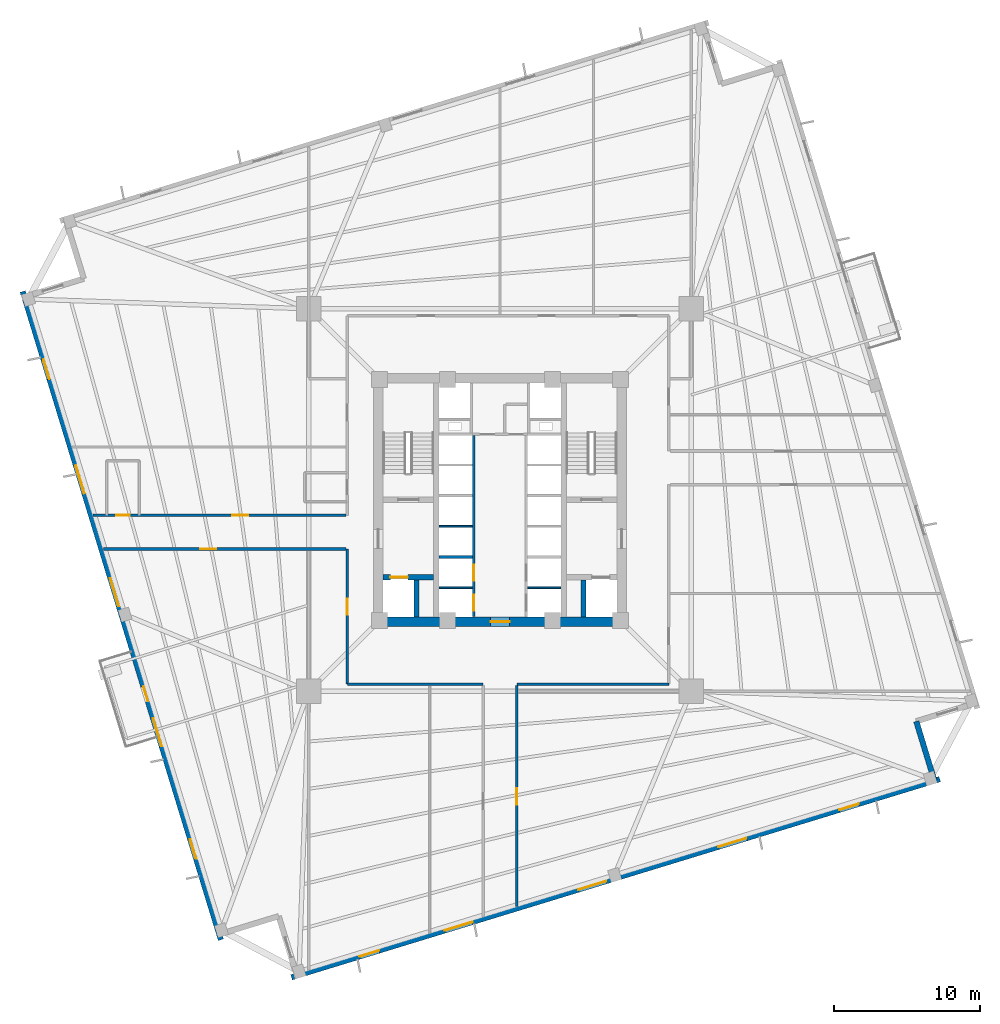
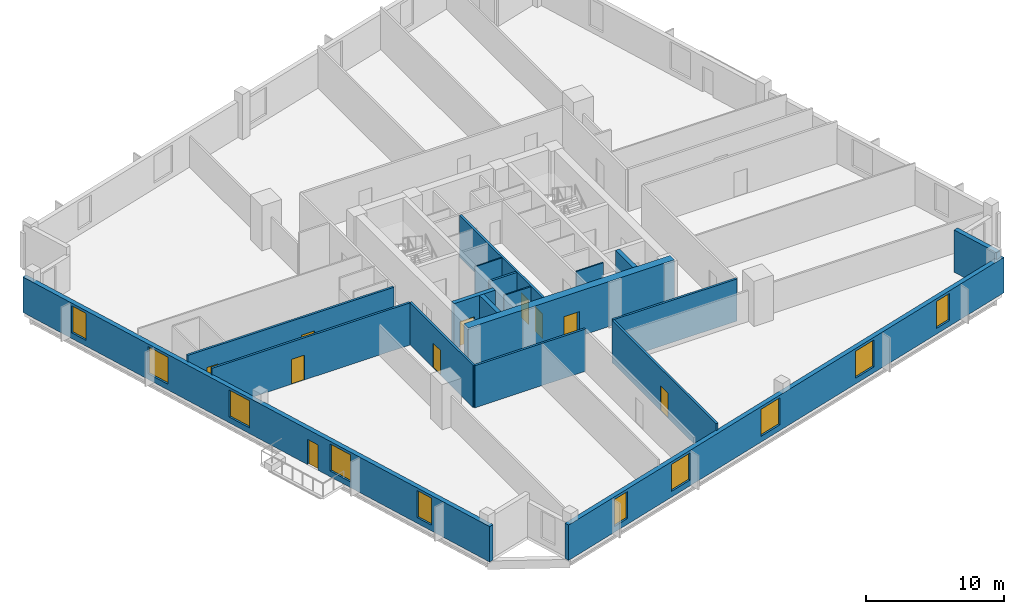
# One storey, part 3 of 9: 18 walls, 10 doors, 10 windows, 20 openings.
"""IFC4 building model written with IfcOpenShell, lengths in metres."""

from ifc_helpers import new_model, si_unit, direction, frame, frame_2d, origin, place, context, subcontext, project, spatial, rectangle, extrude, source, transform, mapped, material, layer, layer_set, type_object, element, fill, save


model = new_model("IFC4")

# Units and contexts
model_context = context("Model", 3, precision=1e-05, world=origin(), true_north=direction((0.0, 1.0)))
body_context = subcontext(model_context, "Body", "Model", "MODEL_VIEW")
ifc_project = project(units=[si_unit("LENGTHUNIT", "METRE"), si_unit("AREAUNIT", "SQUARE_METRE"), si_unit("VOLUMEUNIT", "CUBIC_METRE"), si_unit("PLANEANGLEUNIT", "RADIAN"), si_unit("MASSUNIT", "GRAM", prefix="KILO"), si_unit("THERMODYNAMICTEMPERATUREUNIT", "KELVIN")], contexts=[model_context])

# Site, building, storey
site_placement = place(None, origin())
site = spatial("IfcSite", under=ifc_project, at=site_placement, CompositionType="ELEMENT")
building_placement = place(site_placement, origin())
building = spatial("IfcBuilding", under=site, at=building_placement, Name="Kosmvard Interchange Tower", CompositionType="ELEMENT")
storey_placement = place(building_placement, frame((0.0, 0.0, 119.199951171875)))
storey = spatial("IfcBuildingStorey", under=building, at=storey_placement, Name="L28", CompositionType="ELEMENT", Elevation=119.199951171875)

# Wall, openings, doors
ifc_material_1 = material(Name="Fire-rated gypsum partition system")
ifc_layer_1 = layer(ifc_material_1, 0.179931640625, Name="Fire-rated gypsum partition system")
ifc_layer_set_1 = layer_set([ifc_layer_1], Name="Fire-rated gypsum partition system")
wall_type_1 = type_object("IfcWallType", Name="Corridor & Hotel Compartment Partition 180", PredefinedType="PARTITIONING", material=ifc_layer_set_1)
wall_1_placement = place(storey_placement, frame((-1.7900390625, -7.97998046875, 0.0), z_axis=(0.0, 0.0, 1.0), x_axis=(0.0, 1.0, 0.0)))
wall_1 = element("IfcWall", 1, at=wall_1_placement, inside=storey, type_object=wall_type_1, Name="L28 West Lift Bank Front Wall", PredefinedType="PARTITIONING", context=body_context, shape_type="SweptSolid", body=[
    extrude(rectangle(XDim=12.3798828125, YDim=0.179931640625, at=frame_2d((6.18994140625, 0.0))), origin(), (0.0, 0.0, 1.0), 3.739990234375),
])
opening_1_placement = place(wall_1_placement, frame((0.39990234375, 0.0, 0.0)))
opening_1 = element("IfcOpeningElement", 2, at=opening_1_placement, cuts=wall_1, Name="Opening LD-PL-L1-L28", PredefinedType="OPENING", context=body_context, shape_type="SweptSolid", body=[
    extrude(rectangle(XDim=1.10009765625, YDim=2.199951171875, at=frame_2d((0.550048828125, 1.10009765625))), frame((0.0, 0.10009765625, 0.0), z_axis=(0.0, -1.0, 0.0), x_axis=(1.0, 0.0, 0.0)), (0.0, 0.0, 1.0), 0.199951171875),
])
opening_2_placement = place(wall_1_placement, frame((2.4599609375, 0.0, 0.0)))
opening_2 = element("IfcOpeningElement", 3, at=opening_2_placement, cuts=wall_1, Name="Opening LD-PL-L2-L28", PredefinedType="OPENING", context=body_context, shape_type="SweptSolid", body=[
    extrude(rectangle(XDim=1.10009765625, YDim=2.199951171875, at=frame_2d((0.550048828125, 1.10009765625))), frame((0.0, 0.10009765625, 0.0), z_axis=(0.0, -1.0, 0.0), x_axis=(1.0, 0.0, 0.0)), (0.0, 0.0, 1.0), 0.199951171875),
])
ifc_material_2 = material(Name="Brushed stainless steel sliding leaf", Category="steel")
door_type_1 = type_object("IfcDoorType", Name="Passenger Lift Sliding Landing Door 1100x2200 EI60", OperationType="DOUBLE_DOOR_SLIDING", PredefinedType="DOOR", material=ifc_material_2)
shared_shape_1 = source(origin(), body_context, "Body", "SweptSolid", [
    extrude(rectangle(XDim=1.10009765625, YDim=2.199951171875, at=frame_2d((0.550048828125, 1.10009765625))), frame((0.0, 0.02490234375, 0.0), z_axis=(0.0, -1.0, 0.0), x_axis=(1.0, 0.0, 0.0)), (0.0, 0.0, 1.0), 0.050048828125),
])
door_1_placement = place(opening_1_placement, frame((1.10009765625, 0.0, 0.0), z_axis=(0.0, 0.0, 1.0), x_axis=(-1.0, 0.0, 0.0)))
door_1 = element("IfcDoor", 4, at=door_1_placement, inside=storey, type_object=door_type_1, Name="Lift PL-L1 Landing Door L28", OperationType="DOUBLE_DOOR_SLIDING", OverallHeight=2.199951171875, OverallWidth=1.10009765625, PredefinedType="DOOR", context=body_context, shape_type="MappedRepresentation", body=[
    mapped(shared_shape_1, transform((0.0, 0.0, 0.0), scale=1.0)),
])
fill(opening_1, door_1)
door_2_placement = place(opening_2_placement, frame((1.10009765625, 0.0, 0.0), z_axis=(0.0, 0.0, 1.0), x_axis=(-1.0, 0.0, 0.0)))
door_2 = element("IfcDoor", 5, at=door_2_placement, inside=storey, type_object=door_type_1, Name="Lift PL-L2 Landing Door L28", OperationType="DOUBLE_DOOR_SLIDING", OverallHeight=2.199951171875, OverallWidth=1.10009765625, PredefinedType="DOOR", context=body_context, shape_type="MappedRepresentation", body=[
    mapped(shared_shape_1, transform((0.0, 0.0, 0.0), scale=1.0)),
])
fill(opening_2, door_2)

# Walls
wall_2_placement = place(storey_placement, frame((-10.449951171875, -12.60009765625, 0.0), z_axis=(0.0, 0.0, 1.0), x_axis=(1.0, 0.0, 0.0)))
element("IfcWall", 6, at=wall_2_placement, inside=storey, type_object=wall_type_1, Name="L28 Corridor Wall CSW", PredefinedType="PARTITIONING", context=body_context, shape_type="SweptSolid", body=[
    extrude(rectangle(XDim=9.300048828125, YDim=0.179931640625, at=frame_2d((4.64990234375, 0.0))), origin(), (0.0, 0.0, 1.0), 3.739990234375),
])
wall_3_placement = place(storey_placement, frame((1.14990234375, -12.60009765625, 0.0), z_axis=(0.0, 0.0, 1.0), x_axis=(1.0, 0.0, 0.0)))
element("IfcWall", 7, at=wall_3_placement, inside=storey, type_object=wall_type_1, Name="L28 Corridor Wall CSE", PredefinedType="PARTITIONING", context=body_context, shape_type="SweptSolid", body=[
    extrude(rectangle(XDim=10.400146484375, YDim=0.179931640625, at=frame_2d((5.2001953125, 0.0))), origin(), (0.0, 0.0, 1.0), 3.739990234375),
])

# Wall, opening, door
wall_4_placement = place(storey_placement, frame((-10.449951171875, -12.60009765625, 0.0), z_axis=(0.0, 0.0, 1.0), x_axis=(0.0, 1.0, 0.0)))
wall_4 = element("IfcWall", 8, at=wall_4_placement, inside=storey, type_object=wall_type_1, Name="L28 Corridor Wall CWS", PredefinedType="PARTITIONING", context=body_context, shape_type="SweptSolid", body=[
    extrude(rectangle(XDim=9.25, YDim=0.179931640625, at=frame_2d((4.625, 0.0))), origin(), (0.0, 0.0, 1.0), 3.739990234375),
])
opening_3_placement = place(wall_4_placement, frame((4.735107421875, 0.0, 0.0)))
opening_3 = element("IfcOpeningElement", 9, at=opening_3_placement, cuts=wall_4, Name="Opening L28-D14", PredefinedType="OPENING", context=body_context, shape_type="SweptSolid", body=[
    extrude(rectangle(XDim=1.10009765625, YDim=2.199951171875, at=frame_2d((0.550048828125, 1.10009765625))), frame((0.0, 0.10009765625, 0.0), z_axis=(0.0, -1.0, 0.0), x_axis=(1.0, 0.0, 0.0)), (0.0, 0.0, 1.0), 0.199951171875),
])
ifc_material_3 = material(Name="Engineered oak fire-rated timber", Category="wood")
door_type_2 = type_object("IfcDoorType", Name="Office Suite Entrance Door 1100x2200 FD30S", OperationType="NOTDEFINED", PredefinedType="DOOR", material=ifc_material_3)
door_3_placement = place(opening_3_placement, origin())
door_3 = element("IfcDoor", 10, at=door_3_placement, inside=storey, type_object=door_type_2, Name="L28 Staff Pantry Door", OperationType="SINGLE_SWING_RIGHT", OverallHeight=2.199951171875, OverallWidth=1.10009765625, PredefinedType="DOOR", context=body_context, shape_type="MappedRepresentation", body=[
    mapped(shared_shape_1, transform((0.0, 0.0, 0.0), scale=1.0)),
])
fill(opening_3, door_3)

wall_5_placement = place(storey_placement, frame((-27.1416015625, -3.35009765625, 0.0), z_axis=(0.0, 0.0, 1.0), x_axis=(1.0, 0.0, 0.0)))
wall_5 = element("IfcWall", 11, at=wall_5_placement, inside=storey, type_object=wall_type_1, Name="L28 Corridor Wall SWS", PredefinedType="PARTITIONING", context=body_context, shape_type="SweptSolid", body=[
    extrude(rectangle(XDim=16.591552734375, YDim=0.179931640625, at=frame_2d((8.2958984375, 0.0))), origin(), (0.0, 0.0, 1.0), 3.739990234375),
])
opening_4_placement = place(wall_5_placement, frame((6.644775390625, 0.0, 0.0)))
opening_4 = element("IfcOpeningElement", 12, at=opening_4_placement, cuts=wall_5, Name="Opening L28-D13", PredefinedType="OPENING", context=body_context, shape_type="SweptSolid", body=[
    extrude(rectangle(XDim=1.10009765625, YDim=2.199951171875, at=frame_2d((0.550048828125, 1.10009765625))), frame((0.0, 0.10009765625, 0.0), z_axis=(0.0, -1.0, 0.0), x_axis=(1.0, 0.0, 0.0)), (0.0, 0.0, 1.0), 0.199951171875),
])
door_4_placement = place(opening_4_placement, frame((1.10009765625, 0.0, 0.0), z_axis=(0.0, 0.0, 1.0), x_axis=(-1.0, 0.0, 0.0)))
door_4 = element("IfcDoor", 13, at=door_4_placement, inside=storey, type_object=door_type_2, Name="L28 West Open Research Workplace Door", OperationType="SINGLE_SWING_LEFT", OverallHeight=2.199951171875, OverallWidth=1.10009765625, PredefinedType="DOOR", context=body_context, shape_type="MappedRepresentation", body=[
    mapped(shared_shape_1, transform((0.0, 0.0, 0.0), scale=1.0)),
])
fill(opening_4, door_4)

# Wall, openings, doors
wall_6_placement = place(storey_placement, frame((-27.8447265625, -1.050048828125, 0.0), z_axis=(0.0, 0.0, 1.0), x_axis=(1.0, 0.0, 0.0)))
wall_6 = element("IfcWall", 14, at=wall_6_placement, inside=storey, type_object=wall_type_1, Name="L28 Corridor Wall SWN", PredefinedType="PARTITIONING", context=body_context, shape_type="SweptSolid", body=[
    extrude(rectangle(XDim=17.294677734375, YDim=0.179931640625, at=frame_2d((8.6474609375, 0.0))), origin(), (0.0, 0.0, 1.0), 3.739990234375),
])
opening_5_placement = place(wall_6_placement, frame((1.580078125, 0.0, 0.0)))
opening_5 = element("IfcOpeningElement", 15, at=opening_5_placement, cuts=wall_6, Name="Opening L28-D02", PredefinedType="OPENING", context=body_context, shape_type="SweptSolid", body=[
    extrude(rectangle(XDim=0.949951171875, YDim=2.10009765625, at=frame_2d((0.47509765625, 1.050048828125))), frame((0.0, 0.10009765625, 0.0), z_axis=(0.0, -1.0, 0.0), x_axis=(1.0, 0.0, 0.0)), (0.0, 0.0, 1.0), 0.199951171875),
])
opening_6_placement = place(wall_6_placement, frame((9.516845703125, 0.0, 0.0)))
opening_6 = element("IfcOpeningElement", 16, at=opening_6_placement, cuts=wall_6, Name="Opening L28-D03", PredefinedType="OPENING", context=body_context, shape_type="SweptSolid", body=[
    extrude(rectangle(XDim=1.10009765625, YDim=2.199951171875, at=frame_2d((0.550048828125, 1.10009765625))), frame((0.0, 0.10009765625, 0.0), z_axis=(0.0, -1.0, 0.0), x_axis=(1.0, 0.0, 0.0)), (0.0, 0.0, 1.0), 0.199951171875),
])
ifc_material_4 = material(Name="Laminated moisture-resistant timber", Category="wood")
door_type_3 = type_object("IfcDoorType", Name="Accessible Washroom Door 950x2100", OperationType="NOTDEFINED", PredefinedType="DOOR", material=ifc_material_4)
shared_shape_2 = source(origin(), body_context, "Body", "SweptSolid", [
    extrude(rectangle(XDim=0.949951171875, YDim=2.10009765625, at=frame_2d((0.47509765625, 1.050048828125))), frame((0.0, 0.02490234375, 0.0), z_axis=(0.0, -1.0, 0.0), x_axis=(1.0, 0.0, 0.0)), (0.0, 0.0, 1.0), 0.050048828125),
])
door_5_placement = place(opening_5_placement, origin())
door_5 = element("IfcDoor", 17, at=door_5_placement, inside=storey, type_object=door_type_3, Name="L28 Public Floor Washroom Door", OperationType="SINGLE_SWING_RIGHT", OverallHeight=2.10009765625, OverallWidth=0.949951171875, PredefinedType="DOOR", context=body_context, shape_type="MappedRepresentation", body=[
    mapped(shared_shape_2, transform((0.0, 0.0, 0.0), scale=1.0)),
])
fill(opening_5, door_5)
door_6_placement = place(opening_6_placement, origin())
door_6 = element("IfcDoor", 18, at=door_6_placement, inside=storey, type_object=door_type_2, Name="L28 IT Staging Store Door", OperationType="SINGLE_SWING_LEFT", OverallHeight=2.199951171875, OverallWidth=1.10009765625, PredefinedType="DOOR", context=body_context, shape_type="MappedRepresentation", body=[
    mapped(shared_shape_1, transform((0.0, 0.0, 0.0), scale=1.0)),
])
fill(opening_6, door_6)

# Wall, opening, door
wall_7_placement = place(storey_placement, frame((1.14990234375, -27.814208984375, 0.0), z_axis=(0.0, 0.0, 1.0), x_axis=(0.0, 1.0, 0.0)))
wall_7 = element("IfcWall", 19, at=wall_7_placement, inside=storey, type_object=wall_type_1, Name="L28 Corridor Wall SSE", PredefinedType="PARTITIONING", context=body_context, shape_type="SweptSolid", body=[
    extrude(rectangle(XDim=15.1142578125, YDim=0.179931640625, at=frame_2d((7.55712890625, 0.0))), origin(), (0.0, 0.0, 1.0), 3.739990234375),
])
opening_7_placement = place(wall_7_placement, frame((6.98095703125, 0.0, 0.0)))
opening_7 = element("IfcOpeningElement", 20, at=opening_7_placement, cuts=wall_7, Name="Opening L28-D12", PredefinedType="OPENING", context=body_context, shape_type="SweptSolid", body=[
    extrude(rectangle(XDim=1.10009765625, YDim=2.199951171875, at=frame_2d((0.550048828125, 1.10009765625))), frame((0.0, 0.10009765625, 0.0), z_axis=(0.0, -1.0, 0.0), x_axis=(1.0, 0.0, 0.0)), (0.0, 0.0, 1.0), 0.199951171875),
])
door_7_placement = place(opening_7_placement, frame((1.10009765625, 0.0, 0.0), z_axis=(0.0, 0.0, 1.0), x_axis=(-1.0, 0.0, 0.0)))
door_7 = element("IfcDoor", 21, at=door_7_placement, inside=storey, type_object=door_type_2, Name="L28 South-East Boardroom 5 Door", OperationType="SINGLE_SWING_RIGHT", OverallHeight=2.199951171875, OverallWidth=1.10009765625, PredefinedType="DOOR", context=body_context, shape_type="MappedRepresentation", body=[
    mapped(shared_shape_1, transform((0.0, 0.0, 0.0), scale=1.0)),
])
fill(opening_7, door_7)

# Wall, openings, windows
ifc_material_5 = material(Name="Precast concrete C45/55", Category="concrete")
ifc_layer_2 = layer(ifc_material_5, 0.3798828125, Name="Precast concrete C45/55")
ifc_layer_set_2 = layer_set([ifc_layer_2], Name="Precast concrete C45/55")
wall_type_2 = type_object("IfcWallType", Name="Lower Tower Precast Pier Wall 380 C45/55", PredefinedType="STANDARD", material=ifc_layer_set_2)
wall_8_placement = place(storey_placement, frame((-14.26513671875, -32.65771484375, 0.0), z_axis=(0.0, 0.0, 1.0), x_axis=(0.956304320851, 0.292373127906, 0.0)))
wall_8 = element("IfcWall", 22, at=wall_8_placement, inside=storey, type_object=wall_type_2, Name="L28 Precast Facade Wall F-S", PredefinedType="STANDARD", context=body_context, shape_type="SweptSolid", body=[
    extrude(rectangle(XDim=46.380126953125, YDim=0.3798828125, at=frame_2d((23.18994140625, 0.0))), origin(), (0.0, 0.0, 1.0), 3.14013671875),
])
opening_8_placement = place(wall_8_placement, frame((4.865478515625, 0.0, 0.510009765625)))
opening_8 = element("IfcOpeningElement", 23, at=opening_8_placement, cuts=wall_8, Name="Opening L28-W01", PredefinedType="OPENING", context=body_context, shape_type="SweptSolid", body=[
    extrude(rectangle(XDim=1.39990234375, YDim=2.39990234375, at=frame_2d((0.699951171875, 1.199951171875))), frame((0.0, 0.199951171875, 0.0), z_axis=(0.0, -1.0, 0.0), x_axis=(1.0, 0.0, 0.0)), (0.0, 0.0, 1.0), 0.39990234375),
])
opening_9_placement = place(wall_8_placement, frame((10.9501953125, 0.0, 0.510009765625)))
opening_9 = element("IfcOpeningElement", 24, at=opening_9_placement, cuts=wall_8, Name="Opening L28-W02", PredefinedType="OPENING", context=body_context, shape_type="SweptSolid", body=[
    extrude(rectangle(XDim=2.0, YDim=2.39990234375, at=frame_2d((1.0, 1.199951171875))), frame((0.0, 0.199951171875, 0.0), z_axis=(0.0, -1.0, 0.0), x_axis=(1.0, 0.0, 0.0)), (0.0, 0.0, 1.0), 0.39990234375),
])
opening_10_placement = place(wall_8_placement, frame((20.512451171875, 0.0, 0.510009765625)))
opening_10 = element("IfcOpeningElement", 25, at=opening_10_placement, cuts=wall_8, Name="Opening L28-W03", PredefinedType="OPENING", context=body_context, shape_type="SweptSolid", body=[
    extrude(rectangle(XDim=2.0, YDim=2.39990234375, at=frame_2d((1.0, 1.199951171875))), frame((0.0, 0.199951171875, 0.0), z_axis=(0.0, -1.0, 0.0), x_axis=(1.0, 0.0, 0.0)), (0.0, 0.0, 1.0), 0.39990234375),
])
opening_11_placement = place(wall_8_placement, frame((30.538330078125, 0.0, 0.510009765625)))
opening_11 = element("IfcOpeningElement", 26, at=opening_11_placement, cuts=wall_8, Name="Opening L28-W04", PredefinedType="OPENING", context=body_context, shape_type="SweptSolid", body=[
    extrude(rectangle(XDim=2.0, YDim=2.39990234375, at=frame_2d((1.0, 1.199951171875))), frame((0.0, 0.199951171875, 0.0), z_axis=(0.0, -1.0, 0.0), x_axis=(1.0, 0.0, 0.0)), (0.0, 0.0, 1.0), 0.39990234375),
])
opening_12_placement = place(wall_8_placement, frame((39.186767578125, 0.0, 0.510009765625)))
opening_12 = element("IfcOpeningElement", 27, at=opening_12_placement, cuts=wall_8, Name="Opening L28-W05", PredefinedType="OPENING", context=body_context, shape_type="SweptSolid", body=[
    extrude(rectangle(XDim=1.39990234375, YDim=2.39990234375, at=frame_2d((0.699951171875, 1.199951171875))), frame((0.0, 0.199951171875, 0.0), z_axis=(0.0, -1.0, 0.0), x_axis=(1.0, 0.0, 0.0)), (0.0, 0.0, 1.0), 0.39990234375),
])
ifc_material_6 = material(Name="Low-E solar-control double glazing", Category="glass")
window_type_1 = type_object("IfcWindowType", Name="Notched Corner Feature Window 1400x2400", PartitioningType="SINGLE_PANEL", PredefinedType="WINDOW", material=ifc_material_6)
shared_shape_3 = source(origin(), body_context, "Body", "SweptSolid", [
    extrude(rectangle(XDim=1.39990234375, YDim=2.39990234375, at=frame_2d((0.699951171875, 1.199951171875))), frame((0.0, 0.030029296875, 0.0), z_axis=(0.0, -1.0, 0.0), x_axis=(1.0, 0.0, 0.0)), (0.0, 0.0, 1.0), 0.06005859375),
])
window_1_placement = place(opening_8_placement, origin())
window_1 = element("IfcWindow", 28, at=window_1_placement, inside=storey, type_object=window_type_1, Name="L28 Facade Punched Window 01", OverallHeight=2.39990234375, OverallWidth=1.39990234375, PartitioningType="SINGLE_PANEL", PredefinedType="WINDOW", context=body_context, shape_type="MappedRepresentation", body=[
    mapped(shared_shape_3, transform((0.0, 0.0, 0.0), scale=1.0)),
])
fill(opening_8, window_1)
window_2_placement = place(opening_12_placement, origin())
window_2 = element("IfcWindow", 29, at=window_2_placement, inside=storey, type_object=window_type_1, Name="L28 Facade Punched Window 05", OverallHeight=2.39990234375, OverallWidth=1.39990234375, PartitioningType="SINGLE_PANEL", PredefinedType="WINDOW", context=body_context, shape_type="MappedRepresentation", body=[
    mapped(shared_shape_3, transform((0.0, 0.0, 0.0), scale=1.0)),
])
fill(opening_12, window_2)
window_type_2 = type_object("IfcWindowType", Name="Zone 2 Office Punched Window 2000x2400", PartitioningType="SINGLE_PANEL", PredefinedType="WINDOW", material=ifc_material_6)
shared_shape_4 = source(origin(), body_context, "Body", "SweptSolid", [
    extrude(rectangle(XDim=2.0, YDim=2.39990234375, at=frame_2d((1.0, 1.199951171875))), frame((0.0, 0.030029296875, 0.0), z_axis=(0.0, -1.0, 0.0), x_axis=(1.0, 0.0, 0.0)), (0.0, 0.0, 1.0), 0.06005859375),
])
window_3_placement = place(opening_9_placement, origin())
window_3 = element("IfcWindow", 30, at=window_3_placement, inside=storey, type_object=window_type_2, Name="L28 Facade Punched Window 02", OverallHeight=2.39990234375, OverallWidth=2.0, PartitioningType="SINGLE_PANEL", PredefinedType="WINDOW", context=body_context, shape_type="MappedRepresentation", body=[
    mapped(shared_shape_4, transform((0.0, 0.0, 0.0), scale=1.0)),
])
fill(opening_9, window_3)
window_4_placement = place(opening_10_placement, origin())
window_4 = element("IfcWindow", 31, at=window_4_placement, inside=storey, type_object=window_type_2, Name="L28 Facade Punched Window 03", OverallHeight=2.39990234375, OverallWidth=2.0, PartitioningType="SINGLE_PANEL", PredefinedType="WINDOW", context=body_context, shape_type="MappedRepresentation", body=[
    mapped(shared_shape_4, transform((0.0, 0.0, 0.0), scale=1.0)),
])
fill(opening_10, window_4)
window_5_placement = place(opening_11_placement, origin())
window_5 = element("IfcWindow", 32, at=window_5_placement, inside=storey, type_object=window_type_2, Name="L28 Facade Punched Window 04", OverallHeight=2.39990234375, OverallWidth=2.0, PartitioningType="SINGLE_PANEL", PredefinedType="WINDOW", context=body_context, shape_type="MappedRepresentation", body=[
    mapped(shared_shape_4, transform((0.0, 0.0, 0.0), scale=1.0)),
])
fill(opening_11, window_5)

# Wall
wall_9_placement = place(storey_placement, frame((29.724853515625, -19.20849609375, 0.0), z_axis=(0.0, 0.0, 1.0), x_axis=(-0.292345507338, 0.956312764915, 0.0)))
element("IfcWall", 33, at=wall_9_placement, inside=storey, type_object=wall_type_2, Name="L28 Precast Facade Wall N-SE1", PredefinedType="STANDARD", context=body_context, shape_type="SweptSolid", body=[
    extrude(rectangle(XDim=4.249755859375, YDim=0.3798828125, at=frame_2d((2.125, 0.0))), origin(), (0.0, 0.0, 1.0), 3.739990234375),
])

# Wall, openings, door, windows
wall_10_placement = place(storey_placement, frame((-32.65771484375, 14.26513671875, 0.0), z_axis=(0.0, 0.0, 1.0), x_axis=(0.292373127906, -0.956304320851, 0.0)))
wall_10 = element("IfcWall", 34, at=wall_10_placement, inside=storey, type_object=wall_type_2, Name="L28 Precast Facade Wall F-W", PredefinedType="STANDARD", context=body_context, shape_type="SweptSolid", body=[
    extrude(rectangle(XDim=46.380126953125, YDim=0.3798828125, at=frame_2d((23.18994140625, 0.0))), origin(), (0.0, 0.0, 1.0), 3.14013671875),
])
opening_13_placement = place(wall_10_placement, frame((28.264892578125, 0.0, 0.0)))
opening_13 = element("IfcOpeningElement", 35, at=opening_13_placement, cuts=wall_10, Name="Opening L28-BDW", PredefinedType="OPENING", context=body_context, shape_type="SweptSolid", body=[
    extrude(rectangle(XDim=1.050048828125, YDim=2.25, at=frame_2d((0.52490234375, 1.125))), frame((0.0, 0.199951171875, 0.0), z_axis=(0.0, -1.0, 0.0), x_axis=(1.0, 0.0, 0.0)), (0.0, 0.0, 1.0), 0.39990234375),
])
opening_14_placement = place(wall_10_placement, frame((4.865478515625, 0.0, 0.510009765625)))
opening_14 = element("IfcOpeningElement", 36, at=opening_14_placement, cuts=wall_10, Name="Opening L28-W15", PredefinedType="OPENING", context=body_context, shape_type="SweptSolid", body=[
    extrude(rectangle(XDim=1.39990234375, YDim=2.39990234375, at=frame_2d((0.699951171875, 1.199951171875))), frame((0.0, 0.199951171875, 0.0), z_axis=(0.0, -1.0, 0.0), x_axis=(1.0, 0.0, 0.0)), (0.0, 0.0, 1.0), 0.39990234375),
])
opening_15_placement = place(wall_10_placement, frame((12.4501953125, 0.0, 0.510009765625)))
opening_15 = element("IfcOpeningElement", 37, at=opening_15_placement, cuts=wall_10, Name="Opening L28-W16", PredefinedType="OPENING", context=body_context, shape_type="SweptSolid", body=[
    extrude(rectangle(XDim=2.0, YDim=2.39990234375, at=frame_2d((1.0, 1.199951171875))), frame((0.0, 0.199951171875, 0.0), z_axis=(0.0, -1.0, 0.0), x_axis=(1.0, 0.0, 0.0)), (0.0, 0.0, 1.0), 0.39990234375),
])
opening_16_placement = place(wall_10_placement, frame((20.512451171875, 0.0, 0.510009765625)))
opening_16 = element("IfcOpeningElement", 38, at=opening_16_placement, cuts=wall_10, Name="Opening L28-W17", PredefinedType="OPENING", context=body_context, shape_type="SweptSolid", body=[
    extrude(rectangle(XDim=2.0, YDim=2.39990234375, at=frame_2d((1.0, 1.199951171875))), frame((0.0, 0.199951171875, 0.0), z_axis=(0.0, -1.0, 0.0), x_axis=(1.0, 0.0, 0.0)), (0.0, 0.0, 1.0), 0.39990234375),
])
opening_17_placement = place(wall_10_placement, frame((30.538330078125, 0.0, 0.510009765625)))
opening_17 = element("IfcOpeningElement", 39, at=opening_17_placement, cuts=wall_10, Name="Opening L28-W18", PredefinedType="OPENING", context=body_context, shape_type="SweptSolid", body=[
    extrude(rectangle(XDim=2.0, YDim=2.39990234375, at=frame_2d((1.0, 1.199951171875))), frame((0.0, 0.199951171875, 0.0), z_axis=(0.0, -1.0, 0.0), x_axis=(1.0, 0.0, 0.0)), (0.0, 0.0, 1.0), 0.39990234375),
])
opening_18_placement = place(wall_10_placement, frame((39.186767578125, 0.0, 0.510009765625)))
opening_18 = element("IfcOpeningElement", 40, at=opening_18_placement, cuts=wall_10, Name="Opening L28-W19", PredefinedType="OPENING", context=body_context, shape_type="SweptSolid", body=[
    extrude(rectangle(XDim=1.39990234375, YDim=2.39990234375, at=frame_2d((0.699951171875, 1.199951171875))), frame((0.0, 0.199951171875, 0.0), z_axis=(0.0, -1.0, 0.0), x_axis=(1.0, 0.0, 0.0)), (0.0, 0.0, 1.0), 0.39990234375),
])
ifc_material_7 = material(Name="Anodised aluminium and safety glass", Category="aluminium")
door_type_4 = type_object("IfcDoorType", Name="Tree-Balcony Glazed Door 1050x2250", OperationType="NOTDEFINED", PredefinedType="DOOR", material=ifc_material_7)
shared_shape_5 = source(origin(), body_context, "Body", "SweptSolid", [
    extrude(rectangle(XDim=1.050048828125, YDim=2.25, at=frame_2d((0.52490234375, 1.125))), frame((0.0, 0.02490234375, 0.0), z_axis=(0.0, -1.0, 0.0), x_axis=(1.0, 0.0, 0.0)), (0.0, 0.0, 1.0), 0.050048828125),
])
door_8_placement = place(opening_13_placement, origin())
door_8 = element("IfcDoor", 41, at=door_8_placement, inside=storey, type_object=door_type_4, Name="L28 Tree-Balcony Door BAL-L28-W", OperationType="SINGLE_SWING_LEFT", OverallHeight=2.25, OverallWidth=1.050048828125, PredefinedType="DOOR", context=body_context, shape_type="MappedRepresentation", body=[
    mapped(shared_shape_5, transform((0.0, 0.0, 0.0), scale=1.0)),
])
fill(opening_13, door_8)
window_6_placement = place(opening_14_placement, origin())
window_6 = element("IfcWindow", 42, at=window_6_placement, inside=storey, type_object=window_type_1, Name="L28 Facade Punched Window 15", OverallHeight=2.39990234375, OverallWidth=1.39990234375, PartitioningType="SINGLE_PANEL", PredefinedType="WINDOW", context=body_context, shape_type="MappedRepresentation", body=[
    mapped(shared_shape_3, transform((0.0, 0.0, 0.0), scale=1.0)),
])
fill(opening_14, window_6)
window_7_placement = place(opening_18_placement, origin())
window_7 = element("IfcWindow", 43, at=window_7_placement, inside=storey, type_object=window_type_1, Name="L28 Facade Punched Window 19", OverallHeight=2.39990234375, OverallWidth=1.39990234375, PartitioningType="SINGLE_PANEL", PredefinedType="WINDOW", context=body_context, shape_type="MappedRepresentation", body=[
    mapped(shared_shape_3, transform((0.0, 0.0, 0.0), scale=1.0)),
])
fill(opening_18, window_7)
window_8_placement = place(opening_15_placement, origin())
window_8 = element("IfcWindow", 44, at=window_8_placement, inside=storey, type_object=window_type_2, Name="L28 Facade Punched Window 16", OverallHeight=2.39990234375, OverallWidth=2.0, PartitioningType="SINGLE_PANEL", PredefinedType="WINDOW", context=body_context, shape_type="MappedRepresentation", body=[
    mapped(shared_shape_4, transform((0.0, 0.0, 0.0), scale=1.0)),
])
fill(opening_15, window_8)
window_9_placement = place(opening_16_placement, origin())
window_9 = element("IfcWindow", 45, at=window_9_placement, inside=storey, type_object=window_type_2, Name="L28 Facade Punched Window 17", OverallHeight=2.39990234375, OverallWidth=2.0, PartitioningType="SINGLE_PANEL", PredefinedType="WINDOW", context=body_context, shape_type="MappedRepresentation", body=[
    mapped(shared_shape_4, transform((0.0, 0.0, 0.0), scale=1.0)),
])
fill(opening_16, window_9)
window_10_placement = place(opening_17_placement, origin())
window_10 = element("IfcWindow", 46, at=window_10_placement, inside=storey, type_object=window_type_2, Name="L28 Facade Punched Window 18", OverallHeight=2.39990234375, OverallWidth=2.0, PartitioningType="SINGLE_PANEL", PredefinedType="WINDOW", context=body_context, shape_type="MappedRepresentation", body=[
    mapped(shared_shape_4, transform((0.0, 0.0, 0.0), scale=1.0)),
])
fill(opening_17, window_10)

# Wall, opening, door
ifc_material_8 = material(Name="Concrete C70/85", Category="concrete")
ifc_layer_3 = layer(ifc_material_8, 0.64990234375, Name="Concrete C70/85")
ifc_layer_set_3 = layer_set([ifc_layer_3], Name="Concrete C70/85")
wall_type_3 = type_object("IfcWallType", Name="Mid Core Shear Wall 650 C70/85", PredefinedType="SHEAR", material=ifc_layer_set_3)
wall_11_placement = place(storey_placement, frame((-8.64990234375, -8.324951171875, 0.0), z_axis=(0.0, 0.0, 1.0), x_axis=(1.0, 0.0, 0.0)))
wall_11 = element("IfcWall", 47, at=wall_11_placement, inside=storey, type_object=wall_type_3, Name="L28 Core Shear Wall CW-S", PredefinedType="SHEAR", context=body_context, shape_type="SweptSolid", body=[
    extrude(rectangle(XDim=17.2998046875, YDim=0.64990234375, at=frame_2d((8.64990234375, 0.0))), origin(), (0.0, 0.0, 1.0), 4.0),
])
opening_19_placement = place(wall_11_placement, frame((8.0, 0.0, 0.0)))
opening_19 = element("IfcOpeningElement", 48, at=opening_19_placement, cuts=wall_11, Name="Opening L28-LD0", PredefinedType="OPENING", context=body_context, shape_type="SweptSolid", body=[
    extrude(rectangle(XDim=1.300048828125, YDim=2.199951171875, at=frame_2d((0.64990234375, 1.10009765625))), frame((0.0, 0.3349609375, 0.0), z_axis=(0.0, -1.0, 0.0), x_axis=(1.0, 0.0, 0.0)), (0.0, 0.0, 1.0), 0.669921875),
])
ifc_material_9 = material(Name="Painted fire-rated steel leaf", Category="steel")
door_type_5 = type_object("IfcDoorType", Name="Firefighting Lobby Door 1300x2200 EI60", OperationType="NOTDEFINED", PredefinedType="DOOR", material=ifc_material_9)
shared_shape_6 = source(origin(), body_context, "Body", "SweptSolid", [
    extrude(rectangle(XDim=1.300048828125, YDim=2.199951171875, at=frame_2d((0.64990234375, 1.10009765625))), frame((0.0, 0.02490234375, 0.0), z_axis=(0.0, -1.0, 0.0), x_axis=(1.0, 0.0, 0.0)), (0.0, 0.0, 1.0), 0.050048828125),
])
door_9_placement = place(opening_19_placement, frame((1.300048828125, 0.0, 0.0), z_axis=(0.0, 0.0, 1.0), x_axis=(-1.0, 0.0, 0.0)))
door_9 = element("IfcDoor", 49, at=door_9_placement, inside=storey, type_object=door_type_5, Name="L28 Passenger Lift Lobby South Door", OperationType="SINGLE_SWING_RIGHT", OverallHeight=2.199951171875, OverallWidth=1.300048828125, PredefinedType="DOOR", context=body_context, shape_type="MappedRepresentation", body=[
    mapped(shared_shape_6, transform((0.0, 0.0, 0.0), scale=1.0)),
])
fill(opening_19, door_9)

# Walls
ifc_material_10 = material(Name="Concrete blockwork masonry", Category="masonry")
ifc_layer_4 = layer(ifc_material_10, 0.179931640625, Name="Concrete blockwork masonry")
ifc_layer_set_4 = layer_set([ifc_layer_4], Name="Concrete blockwork masonry")
wall_type_4 = type_object("IfcWallType", Name="Riser & Lift Bank Divider Wall 180", PredefinedType="PARTITIONING", material=ifc_layer_set_4)
wall_12_placement = place(storey_placement, frame((-4.169921875, -3.89990234375, 0.0), z_axis=(0.0, 0.0, 1.0), x_axis=(1.0, 0.0, 0.0)))
element("IfcWall", 50, at=wall_12_placement, inside=storey, type_object=wall_type_4, Name="L28 West Bank Divider BD1", PredefinedType="PARTITIONING", context=body_context, shape_type="SweptSolid", body=[
    extrude(rectangle(XDim=2.280029296875, YDim=0.179931640625, at=frame_2d((1.14013671875, 0.0))), origin(), (0.0, 0.0, 1.0), 3.739990234375),
])
ifc_material_11 = material(Name="Fire-rated gypsum shaftwall system")
ifc_layer_5 = layer(ifc_material_11, 0.1201171875, Name="Fire-rated gypsum shaftwall system")
ifc_layer_set_5 = layer_set([ifc_layer_5], Name="Fire-rated gypsum shaftwall system")
wall_type_5 = type_object("IfcWallType", Name="Shaft & Riser Fire Partition 120 EI60", PredefinedType="PARTITIONING", material=ifc_layer_set_5)
for number, where, z_axis, x_axis, name in (
    (51, (-4.159912109375, -6.0, 0.0), (0.0, 0.0, 1.0), (1.0, 0.0, 0.0), "L28 Shaft Divider PL-L1"),
    (52, (1.89990234375, -6.0, 0.0), (0.0, 0.0, 1.0), (1.0, 0.0, 0.0), "L28 Shaft Divider PL-L3"),
    (53, (-4.159912109375, -1.800048828125, 0.0), (0.0, 0.0, 1.0), (1.0, 0.0, 0.0), "L28 Shaft Divider PL-M1"),
):
    element("IfcWall", number, at=place(storey_placement, frame(where, z_axis=z_axis, x_axis=x_axis)), inside=storey, type_object=wall_type_5, Name=name, PredefinedType="PARTITIONING", context=body_context, shape_type="SweptSolid", body=[
        extrude(rectangle(XDim=2.260009765625, YDim=0.1201171875, at=frame_2d((1.1298828125, 0.0))), origin(), (0.0, 0.0, 1.0), 3.739990234375),
    ])

# Wall, opening, door
ifc_material_12 = material(Name="Concrete C60/75", Category="concrete")
ifc_layer_6 = layer(ifc_material_12, 0.360107421875, Name="Concrete C60/75")
ifc_layer_set_6 = layer_set([ifc_layer_6], Name="Concrete C60/75")
wall_type_6 = type_object("IfcWallType", Name="Stair & Lift Shaft Shear Wall 360 C60/75", PredefinedType="SHEAR", material=ifc_layer_set_6)
wall_13_placement = place(storey_placement, frame((-8.0, -5.280029296875, 0.0), z_axis=(0.0, 0.0, 1.0), x_axis=(1.0, 0.0, 0.0)))
wall_13 = element("IfcWall", 54, at=wall_13_placement, inside=storey, type_object=wall_type_6, Name="L28 Shaft Shear Wall SW-FF1", PredefinedType="SHEAR", context=body_context, shape_type="SweptSolid", body=[
    extrude(rectangle(XDim=3.4599609375, YDim=0.360107421875, at=frame_2d((1.72998046875, 0.0))), origin(), (0.0, 0.0, 1.0), 4.0),
])
opening_20_placement = place(wall_13_placement, frame((0.5, 0.0, 0.0)))
opening_20 = element("IfcOpeningElement", 55, at=opening_20_placement, cuts=wall_13, Name="Opening LD-FF-1-L28", PredefinedType="OPENING", context=body_context, shape_type="SweptSolid", body=[
    extrude(rectangle(XDim=1.199951171875, YDim=2.25, at=frame_2d((0.60009765625, 1.125))), frame((0.0, 0.18994140625, 0.0), z_axis=(0.0, -1.0, 0.0), x_axis=(1.0, 0.0, 0.0)), (0.0, 0.0, 1.0), 0.380126953125),
])
door_type_6 = type_object("IfcDoorType", Name="Firefighting Lift Sliding Landing Door 1200x2250 EI120", OperationType="DOUBLE_DOOR_SLIDING", PredefinedType="DOOR", material=ifc_material_2)
shared_shape_7 = source(origin(), body_context, "Body", "SweptSolid", [
    extrude(rectangle(XDim=1.199951171875, YDim=2.25, at=frame_2d((0.60009765625, 1.125))), frame((0.0, 0.02490234375, 0.0), z_axis=(0.0, -1.0, 0.0), x_axis=(1.0, 0.0, 0.0)), (0.0, 0.0, 1.0), 0.050048828125),
])
door_10_placement = place(opening_20_placement, origin())
door_10 = element("IfcDoor", 56, at=door_10_placement, inside=storey, type_object=door_type_6, Name="Lift FF-1 Landing Door L28", OperationType="DOUBLE_DOOR_SLIDING", OverallHeight=2.25, OverallWidth=1.199951171875, PredefinedType="DOOR", context=body_context, shape_type="MappedRepresentation", body=[
    mapped(shared_shape_7, transform((0.0, 0.0, 0.0), scale=1.0)),
])
fill(opening_20, door_10)

# Walls
for number, where, z_axis, x_axis, name in (
    (57, (-5.7099609375, -8.0, 0.0), (0.0, 0.0, 1.0), (0.0, 1.0, 0.0), "L28 Shaft Shear Wall SW-SM1"),
    (58, (5.7099609375, -8.0, 0.0), (0.0, 0.0, 1.0), (0.0, 1.0, 0.0), "L28 Shaft Shear Wall SW-SM2"),
):
    element("IfcWall", number, at=place(storey_placement, frame(where, z_axis=z_axis, x_axis=x_axis)), inside=storey, type_object=wall_type_6, Name=name, PredefinedType="SHEAR", context=body_context, shape_type="SweptSolid", body=[
        extrude(rectangle(XDim=2.5400390625, YDim=0.360107421875, at=frame_2d((1.27001953125, 0.0))), origin(), (0.0, 0.0, 1.0), 4.0),
    ])

save(model, "model.ifc")
